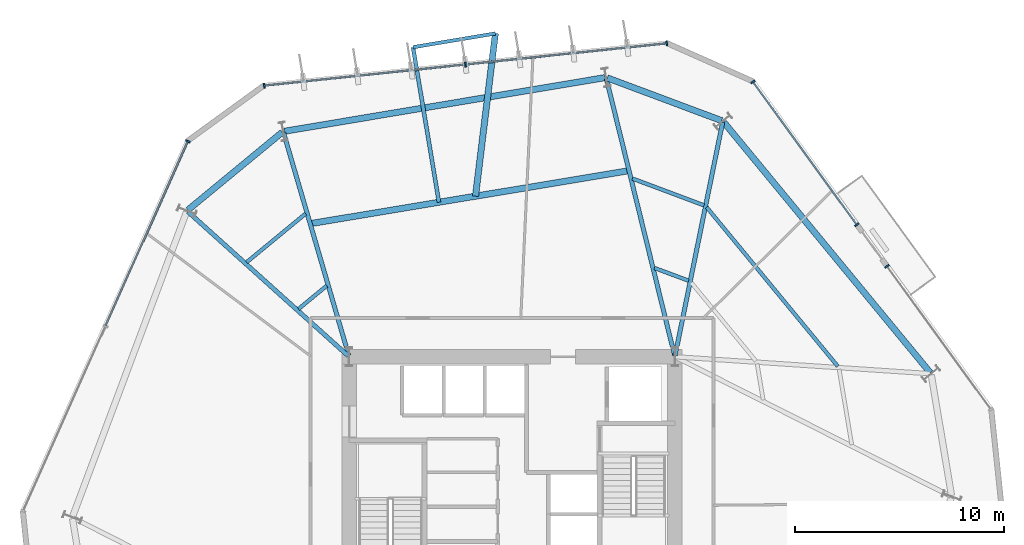
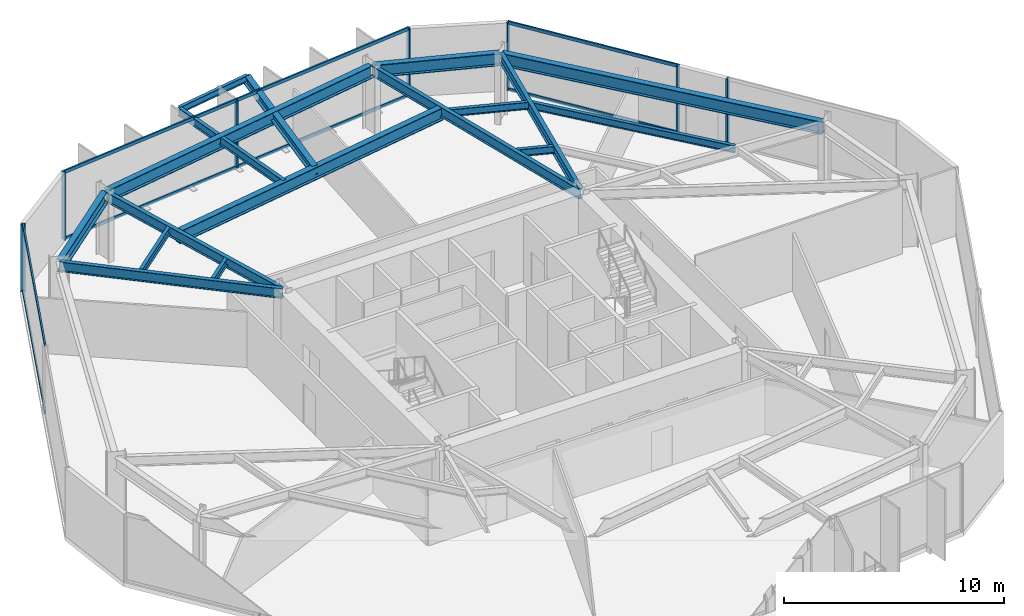
# One storey, part 5 of 11: 17 beams, 15 members, 4 elements without a shape of their own.
"""IFC4 building model written with IfcOpenShell, lengths in metres."""

from ifc_helpers import new_model, si_unit, direction, frame, origin, origin_2d, place, context, subcontext, project, spatial, rectangle, i_section, extrude, material, layer, layer_set, material_profile, profile_set, type_object, element, aggregate, save


model = new_model("IFC4")

# Units and contexts
model_context = context("Model", 3, precision=1e-05, world=origin(), true_north=direction((0.0, 1.0)))
body_context = subcontext(model_context, "Body", "Model", "MODEL_VIEW")
ifc_project = project(units=[si_unit("LENGTHUNIT", "METRE"), si_unit("AREAUNIT", "SQUARE_METRE"), si_unit("VOLUMEUNIT", "CUBIC_METRE"), si_unit("PLANEANGLEUNIT", "RADIAN"), si_unit("MASSUNIT", "GRAM", prefix="KILO")], contexts=[model_context])

# Site, building, storey
site_placement = place(None, origin())
site = spatial("IfcSite", under=ifc_project, at=site_placement, CompositionType="ELEMENT")
building_placement = place(site_placement, origin())
building = spatial("IfcBuilding", under=site, at=building_placement, Name="Kranzbogen Civic Tower", CompositionType="ELEMENT")
storey_placement = place(building_placement, frame((0.0, 0.0, 44.0)))
storey = spatial("IfcBuildingStorey", under=building, at=storey_placement, Name="L10", CompositionType="ELEMENT", Elevation=44.0)

# Beam
ifc_material_1 = material(Name="Steel S355", Category="steel")
ifc_material_profile_1 = material_profile(ifc_material_1, i_section(OverallWidth=0.18994140625, OverallDepth=0.449951171875, WebThickness=0.009521484375, FlangeThickness=0.0146484375, at=origin_2d()), Name="IPE 450")
ifc_profile_set_1 = profile_set([ifc_material_profile_1], Name="Steel S355")
beam_type_1 = type_object("IfcBeamType", Name="Braced Terrace Edge Beam IPE 450", PredefinedType="BEAM", material=ifc_profile_set_1)
beam_1_placement = place(storey_placement, frame((21.5029296875, 39.597900390625, 3.52490234375), z_axis=(-0.164993294132, 0.986294688666, 0.0), x_axis=(-0.986294688666, -0.164993294132, 0.0)))
element("IfcBeam", 1, at=beam_1_placement, inside=storey, type_object=beam_type_1, Name="L11 back-spanned terrace beam L11-TB2-2", PredefinedType="BEAM", context=body_context, shape_type="SweptSolid", body=[
    extrude(i_section(OverallWidth=0.18994140625, OverallDepth=0.449951171875, WebThickness=0.009521484375, FlangeThickness=0.0146484375, at=origin_2d()), origin(), (0.0, 0.0, 1.0), 7.52734375),
])

# Curtain wall, member
ifc_material_2 = material(Name="Pale Anodised Aluminium", Category="aluminium")
ifc_layer = layer(ifc_material_2, 0.219970703125, Name="Pale Anodised Aluminium")
ifc_layer_set = layer_set([ifc_layer], Name="Pale Anodised Aluminium")
curtain_wall_type = type_object("IfcCurtainWallType", Name="Zone 1 Stick Curtain Wall System CW-02", PredefinedType="USERDEFINED", material=ifc_layer_set)
curtain_wall_1_placement = place(storey_placement, origin())
curtain_wall_1 = element("IfcCurtainWall", 2, at=curtain_wall_1_placement, inside=storey, type_object=curtain_wall_type, Name="L10 curtain wall CW-L10-F1-S1", ObjectType="STICK CURTAIN WALL", PredefinedType="USERDEFINED")
ifc_material_profile_2 = material_profile(ifc_material_2, rectangle(XDim=0.080078125, YDim=0.239990234375, at=origin_2d()), Name="ALU-M 80x240")
ifc_profile_set_2 = profile_set([ifc_material_profile_2], Name="Pale Anodised Aluminium")
member_type_1 = type_object("IfcMemberType", Name="Curtain Wall Mullion ALU-M 80x240", PredefinedType="MULLION", material=ifc_profile_set_2)
member_1_placement = place(storey_placement, frame((42.962646484375, 36.53076171875, 0.0), z_axis=(0.0, 0.0, 1.0), x_axis=(-0.587801827819, 0.809004951291, 0.0)))
member_1 = element("IfcMember", 3, at=member_1_placement, type_object=member_type_1, Name="CW-02 mullion 2", PredefinedType="MULLION", context=body_context, shape_type="SweptSolid", body=[
    extrude(rectangle(XDim=0.080078125, YDim=0.239990234375, at=origin_2d()), origin(), (0.0, 0.0, 1.0), 3.760009765625),
])
aggregate(curtain_wall_1, [member_1])

# Curtain wall, members
curtain_wall_2_placement = place(storey_placement, origin())
curtain_wall_2 = element("IfcCurtainWall", 4, at=curtain_wall_2_placement, inside=storey, type_object=curtain_wall_type, Name="L10 curtain wall CW-L10-F1-S2", ObjectType="STICK CURTAIN WALL", PredefinedType="USERDEFINED")
member_2_placement = place(storey_placement, frame((41.516357421875, 38.521240234375, 0.0), z_axis=(0.0, 0.0, 1.0), x_axis=(-0.587780824037, 0.809020211673, 0.0)))
member_2 = element("IfcMember", 5, at=member_2_placement, type_object=member_type_1, Name="CW-02 mullion 1", PredefinedType="MULLION", context=body_context, shape_type="SweptSolid", body=[
    extrude(rectangle(XDim=0.080078125, YDim=0.239990234375, at=origin_2d()), origin(), (0.0, 0.0, 1.0), 3.760009765625),
])
member_3_placement = place(storey_placement, frame((36.543701171875, 45.36572265625, 0.0), z_axis=(0.0, 0.0, 1.0), x_axis=(-0.587780824037, 0.809020211673, 0.0)))
member_3 = element("IfcMember", 6, at=member_3_placement, type_object=member_type_1, Name="CW-02 mullion 2", PredefinedType="MULLION", context=body_context, shape_type="SweptSolid", body=[
    extrude(rectangle(XDim=0.080078125, YDim=0.239990234375, at=origin_2d()), origin(), (0.0, 0.0, 1.0), 3.760009765625),
])

curtain_wall_3_placement = place(storey_placement, origin())
curtain_wall_3 = element("IfcCurtainWall", 7, at=curtain_wall_3_placement, inside=storey, type_object=curtain_wall_type, Name="L10 curtain wall CW-L10-F2", ObjectType="STICK CURTAIN WALL", PredefinedType="USERDEFINED")
member_4_placement = place(storey_placement, frame((32.41015625, 47.205810546875, 0.0), z_axis=(0.0, 0.0, 1.0), x_axis=(-0.994522913352, -0.104518777347, 0.0)))
member_4 = element("IfcMember", 8, at=member_4_placement, type_object=member_type_1, Name="CW-02 mullion 1", PredefinedType="MULLION", context=body_context, shape_type="SweptSolid", body=[
    extrude(rectangle(XDim=0.080078125, YDim=0.239990234375, at=origin_2d()), origin(), (0.0, 0.0, 1.0), 3.760009765625),
])
member_5_placement = place(storey_placement, frame((22.7724609375, 46.193115234375, 0.0), z_axis=(0.0, 0.0, 1.0), x_axis=(-0.994522913352, -0.104518777347, 0.0)))
member_5 = element("IfcMember", 9, at=member_5_placement, type_object=member_type_1, Name="CW-02 mullion 2", PredefinedType="MULLION", context=body_context, shape_type="SweptSolid", body=[
    extrude(rectangle(XDim=0.080078125, YDim=0.239990234375, at=origin_2d()), origin(), (0.0, 0.0, 1.0), 3.760009765625),
])
member_6_placement = place(storey_placement, frame((13.134765625, 45.18017578125, 0.0), z_axis=(0.0, 0.0, 1.0), x_axis=(-0.994522913352, -0.104518777347, 0.0)))
member_6 = element("IfcMember", 10, at=member_6_placement, type_object=member_type_1, Name="CW-02 mullion 3", PredefinedType="MULLION", context=body_context, shape_type="SweptSolid", body=[
    extrude(rectangle(XDim=0.080078125, YDim=0.239990234375, at=origin_2d()), origin(), (0.0, 0.0, 1.0), 3.760009765625),
])

# Curtain wall, member
curtain_wall_4_placement = place(storey_placement, origin())
curtain_wall_4 = element("IfcCurtainWall", 11, at=curtain_wall_4_placement, inside=storey, type_object=curtain_wall_type, Name="L10 curtain wall CW-L10-F3", ObjectType="STICK CURTAIN WALL", PredefinedType="USERDEFINED")
member_7_placement = place(storey_placement, frame((9.473876953125, 42.5205078125, 0.0), z_axis=(0.0, 0.0, 1.0), x_axis=(-0.406749234104, -0.913539851652, 0.0)))
member_7 = element("IfcMember", 12, at=member_7_placement, type_object=member_type_1, Name="CW-02 mullion 1", PredefinedType="MULLION", context=body_context, shape_type="SweptSolid", body=[
    extrude(rectangle(XDim=0.080078125, YDim=0.239990234375, at=origin_2d()), origin(), (0.0, 0.0, 1.0), 3.760009765625),
])

# Member
ifc_material_profile_3 = material_profile(ifc_material_2, rectangle(XDim=0.080078125, YDim=0.179931640625, at=origin_2d()), Name="ALU-T 80x180")
ifc_profile_set_3 = profile_set([ifc_material_profile_3], Name="Pale Anodised Aluminium")
member_type_2 = type_object("IfcMemberType", Name="Curtain Wall Transom ALU-T 80x180", PredefinedType="USERDEFINED", material=ifc_profile_set_3)
member_8_placement = place(storey_placement, frame((41.498779296875, 38.545654296875, 0.030029296875), z_axis=(-0.587784533062, 0.809017516926, 0.0), x_axis=(-0.809017516926, -0.587784533062, 0.0)))
member_8 = element("IfcMember", 13, at=member_8_placement, type_object=member_type_2, Name="CW-02 transom 1.1", ObjectType="TRANSOM", PredefinedType="USERDEFINED", context=body_context, shape_type="SweptSolid", body=[
    extrude(rectangle(XDim=0.080078125, YDim=0.179931640625, at=origin_2d()), origin(), (0.0, 0.0, 1.0), 8.400146484375),
])

member_9_placement = place(storey_placement, frame((41.498779296875, 38.545654296875, 3.72998046875), z_axis=(-0.587784533062, 0.809017516926, 0.0), x_axis=(-0.809017516926, -0.587784533062, 0.0)))
member_9 = element("IfcMember", 14, at=member_9_placement, type_object=member_type_2, Name="CW-02 transom 1.2", ObjectType="TRANSOM", PredefinedType="USERDEFINED", context=body_context, shape_type="SweptSolid", body=[
    extrude(rectangle(XDim=0.080078125, YDim=0.179931640625, at=origin_2d()), origin(), (0.0, 0.0, 1.0), 8.400146484375),
])

aggregate(curtain_wall_2, [member_2, member_3, member_8, member_9])

member_10_placement = place(storey_placement, frame((32.38037109375, 47.20263671875, 0.030029296875), z_axis=(-0.994523079479, -0.104517196592, 0.0), x_axis=(0.104517196592, -0.994523079479, 0.0)))
member_10 = element("IfcMember", 15, at=member_10_placement, type_object=member_type_2, Name="CW-02 transom 1.1", ObjectType="TRANSOM", PredefinedType="USERDEFINED", context=body_context, shape_type="SweptSolid", body=[
    extrude(rectangle(XDim=0.080078125, YDim=0.179931640625, at=origin_2d()), origin(), (0.0, 0.0, 1.0), 9.630859375),
])

member_11_placement = place(storey_placement, frame((32.38037109375, 47.20263671875, 3.72998046875), z_axis=(-0.994523079479, -0.104517196592, 0.0), x_axis=(0.104517196592, -0.994523079479, 0.0)))
member_11 = element("IfcMember", 16, at=member_11_placement, type_object=member_type_2, Name="CW-02 transom 1.2", ObjectType="TRANSOM", PredefinedType="USERDEFINED", context=body_context, shape_type="SweptSolid", body=[
    extrude(rectangle(XDim=0.080078125, YDim=0.179931640625, at=origin_2d()), origin(), (0.0, 0.0, 1.0), 9.630859375),
])

member_12_placement = place(storey_placement, frame((22.74267578125, 46.18994140625, 0.030029296875), z_axis=(-0.994523079479, -0.104517196592, 0.0), x_axis=(0.104517196592, -0.994523079479, 0.0)))
member_12 = element("IfcMember", 17, at=member_12_placement, type_object=member_type_2, Name="CW-02 transom 2.1", ObjectType="TRANSOM", PredefinedType="USERDEFINED", context=body_context, shape_type="SweptSolid", body=[
    extrude(rectangle(XDim=0.080078125, YDim=0.179931640625, at=origin_2d()), origin(), (0.0, 0.0, 1.0), 9.630859375),
])

member_13_placement = place(storey_placement, frame((22.74267578125, 46.18994140625, 3.72998046875), z_axis=(-0.994523079479, -0.104517196592, 0.0), x_axis=(0.104517196592, -0.994523079479, 0.0)))
member_13 = element("IfcMember", 18, at=member_13_placement, type_object=member_type_2, Name="CW-02 transom 2.2", ObjectType="TRANSOM", PredefinedType="USERDEFINED", context=body_context, shape_type="SweptSolid", body=[
    extrude(rectangle(XDim=0.080078125, YDim=0.179931640625, at=origin_2d()), origin(), (0.0, 0.0, 1.0), 9.630859375),
])

aggregate(curtain_wall_3, [member_4, member_5, member_6, member_10, member_11, member_12, member_13])

member_14_placement = place(storey_placement, frame((9.461669921875, 42.4931640625, 0.030029296875), z_axis=(-0.406754596489, -0.913537464057, 0.0), x_axis=(0.913537464057, -0.406754596489, 0.0)))
member_14 = element("IfcMember", 19, at=member_14_placement, type_object=member_type_2, Name="CW-02 transom 1.1", ObjectType="TRANSOM", PredefinedType="USERDEFINED", context=body_context, shape_type="SweptSolid", body=[
    extrude(rectangle(XDim=0.080078125, YDim=0.179931640625, at=origin_2d()), origin(), (0.0, 0.0, 1.0), 9.631103515625),
])

member_15_placement = place(storey_placement, frame((9.461669921875, 42.4931640625, 3.72998046875), z_axis=(-0.406754596489, -0.913537464057, 0.0), x_axis=(0.913537464057, -0.406754596489, 0.0)))
member_15 = element("IfcMember", 20, at=member_15_placement, type_object=member_type_2, Name="CW-02 transom 1.2", ObjectType="TRANSOM", PredefinedType="USERDEFINED", context=body_context, shape_type="SweptSolid", body=[
    extrude(rectangle(XDim=0.080078125, YDim=0.179931640625, at=origin_2d()), origin(), (0.0, 0.0, 1.0), 9.631103515625),
])

aggregate(curtain_wall_4, [member_7, member_14, member_15])

# Beams
ifc_material_profile_4 = material_profile(ifc_material_1, i_section(OverallWidth=0.300048828125, OverallDepth=0.5, WebThickness=0.014404296875, FlangeThickness=0.028076171875, at=origin_2d()), Name="HEB 500")
ifc_profile_set_4 = profile_set([ifc_material_profile_4], Name="Steel S355")
beam_type_2 = type_object("IfcBeamType", Name="Perimeter Tube Spandrel Beam HEB 500", PredefinedType="SPANDREL", material=ifc_profile_set_4)
beam_2_placement = place(storey_placement, frame((23.251953125, 39.887939453125, 3.5), z_axis=(0.121244894525, 0.992622624944, 0.0), x_axis=(-0.992622624944, 0.121244894525, 0.0)))
element("IfcBeam", 21, at=beam_2_placement, inside=storey, type_object=beam_type_2, Name="L11 back-spanned terrace beam L11-TB2-1", PredefinedType="SPANDREL", context=body_context, shape_type="SweptSolid", body=[
    extrude(i_section(OverallWidth=0.300048828125, OverallDepth=0.5, WebThickness=0.014404296875, FlangeThickness=0.028076171875, at=origin_2d()), origin(), (0.0, 0.0, 1.0), 7.85302734375),
])
ifc_material_profile_5 = material_profile(ifc_material_1, i_section(OverallWidth=0.300048828125, OverallDepth=0.699951171875, WebThickness=0.01708984375, FlangeThickness=0.031982421875, at=origin_2d()), Name="HEB 700")
ifc_profile_set_5 = profile_set([ifc_material_profile_5], Name="Steel S355")
beam_type_3 = type_object("IfcBeamType", Name="Perimeter Tube Spandrel Beam HEB 700", PredefinedType="SPANDREL", material=ifc_profile_set_5)
beam_3_placement = place(storey_placement, frame((45.033935546875, 31.431884765625, 3.409912109375), z_axis=(-0.636074572579, 0.771627590304, 0.0), x_axis=(-0.771627590304, -0.636074572579, 0.0)))
element("IfcBeam", 22, at=beam_3_placement, inside=storey, type_object=beam_type_3, Name="L10 perimeter spandrel beam 08", PredefinedType="SPANDREL", context=body_context, shape_type="SweptSolid", body=[
    extrude(i_section(OverallWidth=0.300048828125, OverallDepth=0.699951171875, WebThickness=0.01708984375, FlangeThickness=0.031982421875, at=origin_2d()), origin(), (0.0, 0.0, 1.0), 15.5595703125),
])
beam_4_placement = place(storey_placement, frame((35.04296875, 43.5048828125, 3.409912109375), z_axis=(-0.936647646965, 0.350273015568, 0.0), x_axis=(-0.350273015568, -0.936647646965, 0.0)))
element("IfcBeam", 23, at=beam_4_placement, inside=storey, type_object=beam_type_3, Name="L10 perimeter spandrel beam 09", PredefinedType="SPANDREL", context=body_context, shape_type="SweptSolid", body=[
    extrude(i_section(OverallWidth=0.300048828125, OverallDepth=0.699951171875, WebThickness=0.01708984375, FlangeThickness=0.031982421875, at=origin_2d()), origin(), (0.0, 0.0, 1.0), 5.852783203125),
])
beam_5_placement = place(storey_placement, frame((29.446044921875, 45.56591796875, 3.409912109375), z_axis=(-0.986285563243, -0.165047834697, 0.0), x_axis=(0.165047834697, -0.986285563243, 0.0)))
element("IfcBeam", 24, at=beam_5_placement, inside=storey, type_object=beam_type_3, Name="L10 perimeter spandrel beam 10", PredefinedType="SPANDREL", context=body_context, shape_type="SweptSolid", body=[
    extrude(i_section(OverallWidth=0.300048828125, OverallDepth=0.699951171875, WebThickness=0.01708984375, FlangeThickness=0.031982421875, at=origin_2d()), origin(), (0.0, 0.0, 1.0), 15.558349609375),
])
beam_6_placement = place(storey_placement, frame((13.99609375, 42.949951171875, 3.409912109375), z_axis=(-0.77168336865, -0.636006901337, 0.0), x_axis=(0.636006901337, -0.77168336865, 0.0)))
element("IfcBeam", 25, at=beam_6_placement, inside=storey, type_object=beam_type_3, Name="L10 perimeter spandrel beam 11", PredefinedType="SPANDREL", context=body_context, shape_type="SweptSolid", body=[
    extrude(i_section(OverallWidth=0.300048828125, OverallDepth=0.699951171875, WebThickness=0.01708984375, FlangeThickness=0.031982421875, at=origin_2d()), origin(), (0.0, 0.0, 1.0), 5.853515625),
])
beam_7_placement = place(storey_placement, frame((30.60498046875, 41.110107421875, 3.39990234375), z_axis=(-0.9864781902, -0.163892587571, 0.0), x_axis=(0.163892587571, -0.9864781902, 0.0)))
element("IfcBeam", 26, at=beam_7_placement, inside=storey, type_object=beam_type_3, Name="L11 balcony back-span header girder L11-TB2", PredefinedType="SPANDREL", context=body_context, shape_type="SweptSolid", body=[
    extrude(i_section(OverallWidth=0.300048828125, OverallDepth=0.699951171875, WebThickness=0.01708984375, FlangeThickness=0.031982421875, at=origin_2d()), origin(), (0.0, 0.0, 1.0), 15.480224609375),
])
ifc_material_profile_6 = material_profile(ifc_material_1, i_section(OverallWidth=0.2099609375, OverallDepth=0.550048828125, WebThickness=0.010986328125, FlangeThickness=0.01708984375, at=origin_2d()), Name="IPE 550")
ifc_profile_set_6 = profile_set([ifc_material_profile_6], Name="Steel S355")
beam_type_4 = type_object("IfcBeamType", Name="Radial Tower Floor Girder IPE 550", PredefinedType="BEAM", material=ifc_profile_set_6)
beam_8_placement = place(storey_placement, frame((35.0869140625, 43.425048828125, 3.485107421875), z_axis=(-0.199633433694, -0.979870650725, 0.0), x_axis=(0.979870650725, -0.199633433694, 0.0)))
element("IfcBeam", 27, at=beam_8_placement, inside=storey, type_object=beam_type_4, Name="L10 radial floor girder 09", PredefinedType="BEAM", context=body_context, shape_type="SweptSolid", body=[
    extrude(i_section(OverallWidth=0.2099609375, OverallDepth=0.550048828125, WebThickness=0.010986328125, FlangeThickness=0.01708984375, at=origin_2d()), origin(), (0.0, 0.0, 1.0), 11.3955078125),
])
beam_9_placement = place(storey_placement, frame((29.51904296875, 45.51806640625, 3.485107421875), z_axis=(0.239215348776, -0.970966537482, 0.0), x_axis=(0.970966537482, 0.239215348776, 0.0)))
element("IfcBeam", 28, at=beam_9_placement, inside=storey, type_object=beam_type_4, Name="L10 radial floor girder 10", PredefinedType="BEAM", context=body_context, shape_type="SweptSolid", body=[
    extrude(i_section(OverallWidth=0.2099609375, OverallDepth=0.550048828125, WebThickness=0.010986328125, FlangeThickness=0.01708984375, at=origin_2d()), origin(), (0.0, 0.0, 1.0), 13.656494140625),
])
beam_10_placement = place(storey_placement, frame((14.05908203125, 42.929931640625, 3.485107421875), z_axis=(0.280944131918, -0.959724124288, 0.0), x_axis=(0.959724124288, 0.280944131918, 0.0)))
element("IfcBeam", 29, at=beam_10_placement, inside=storey, type_object=beam_type_4, Name="L10 radial floor girder 11", PredefinedType="BEAM", context=body_context, shape_type="SweptSolid", body=[
    extrude(i_section(OverallWidth=0.2099609375, OverallDepth=0.550048828125, WebThickness=0.010986328125, FlangeThickness=0.01708984375, at=origin_2d()), origin(), (0.0, 0.0, 1.0), 11.11962890625),
])
beam_11_placement = place(storey_placement, frame((9.47802734375, 39.14892578125, 3.485107421875), z_axis=(0.743311776894, -0.668945141496, 0.0), x_axis=(0.668945141496, 0.743311776894, 0.0)))
element("IfcBeam", 30, at=beam_11_placement, inside=storey, type_object=beam_type_4, Name="L10 radial floor girder 12", PredefinedType="BEAM", context=body_context, shape_type="SweptSolid", body=[
    extrude(i_section(OverallWidth=0.2099609375, OverallDepth=0.550048828125, WebThickness=0.010986328125, FlangeThickness=0.01708984375, at=origin_2d()), origin(), (0.0, 0.0, 1.0), 10.328125),
])
ifc_material_profile_7 = material_profile(ifc_material_1, i_section(OverallWidth=0.169921875, OverallDepth=0.360107421875, WebThickness=0.008056640625, FlangeThickness=0.0126953125, at=origin_2d()), Name="IPE 360")
ifc_profile_set_7 = profile_set([ifc_material_profile_7], Name="Steel S355")
beam_type_5 = type_object("IfcBeamType", Name="Secondary Composite Floor Joist IPE 360", PredefinedType="JOIST", material=ifc_profile_set_7)
beam_12_placement = place(storey_placement, frame((24.2041015625, 47.68310546875, 3.570068359375), z_axis=(-0.98623337131, -0.165359418581, 0.0), x_axis=(0.165359418581, -0.98623337131, 0.0)))
element("IfcBeam", 31, at=beam_12_placement, inside=storey, type_object=beam_type_5, Name="L11 terrace outer edge trimmer L11-TB2", PredefinedType="JOIST", context=body_context, shape_type="SweptSolid", body=[
    extrude(i_section(OverallWidth=0.169921875, OverallDepth=0.360107421875, WebThickness=0.008056640625, FlangeThickness=0.0126953125, at=origin_2d()), origin(), (0.0, 0.0, 1.0), 3.998046875),
])
ifc_material_profile_8 = material_profile(ifc_material_1, i_section(OverallWidth=0.179931640625, OverallDepth=0.39990234375, WebThickness=0.008544921875, FlangeThickness=0.013427734375, at=origin_2d()), Name="IPE 400")
ifc_profile_set_8 = profile_set([ifc_material_profile_8], Name="Steel S355")
beam_type_6 = type_object("IfcBeamType", Name="Secondary Composite Floor Joist IPE 400", PredefinedType="JOIST", material=ifc_profile_set_8)
beam_13_placement = place(storey_placement, frame((40.60302734375, 31.740966796875, 3.56005859375), z_axis=(-0.636094561772, 0.771611112209, 0.0), x_axis=(-0.771611112209, -0.636094561772, 0.0)))
element("IfcBeam", 32, at=beam_13_placement, inside=storey, type_object=beam_type_6, Name="L10 secondary floor joist 1.08", PredefinedType="JOIST", context=body_context, shape_type="SweptSolid", body=[
    extrude(i_section(OverallWidth=0.179931640625, OverallDepth=0.39990234375, WebThickness=0.008544921875, FlangeThickness=0.013427734375, at=origin_2d()), origin(), (0.0, 0.0, 1.0), 9.874267578125),
])
beam_14_placement = place(storey_placement, frame((34.196044921875, 39.449951171875, 3.56005859375), z_axis=(-0.936622008794, 0.350341565678, 0.0), x_axis=(-0.350341565678, -0.936622008794, 0.0)))
element("IfcBeam", 33, at=beam_14_placement, inside=storey, type_object=beam_type_6, Name="L10 secondary floor joist 1.09", PredefinedType="JOIST", context=body_context, shape_type="SweptSolid", body=[
    extrude(i_section(OverallWidth=0.179931640625, OverallDepth=0.39990234375, WebThickness=0.008544921875, FlangeThickness=0.013427734375, at=origin_2d()), origin(), (0.0, 0.0, 1.0), 3.662109375),
])
beam_15_placement = place(storey_placement, frame((33.4609375, 35.839111328125, 3.56005859375), z_axis=(-0.936735458815, 0.350038112495, 0.0), x_axis=(-0.350038112495, -0.936735458815, 0.0)))
element("IfcBeam", 34, at=beam_15_placement, inside=storey, type_object=beam_type_6, Name="L10 secondary floor joist 2.09", PredefinedType="JOIST", context=body_context, shape_type="SweptSolid", body=[
    extrude(i_section(OverallWidth=0.179931640625, OverallDepth=0.39990234375, WebThickness=0.008544921875, FlangeThickness=0.013427734375, at=origin_2d()), origin(), (0.0, 0.0, 1.0), 1.750732421875),
])
beam_16_placement = place(storey_placement, frame((15.116943359375, 39.052978515625, 3.56005859375), z_axis=(-0.771712720426, -0.635971286406, 0.0), x_axis=(0.635971286406, -0.771712720426, 0.0)))
element("IfcBeam", 35, at=beam_16_placement, inside=storey, type_object=beam_type_6, Name="L10 secondary floor joist 1.11", PredefinedType="JOIST", context=body_context, shape_type="SweptSolid", body=[
    extrude(i_section(OverallWidth=0.179931640625, OverallDepth=0.39990234375, WebThickness=0.008544921875, FlangeThickness=0.013427734375, at=origin_2d()), origin(), (0.0, 0.0, 1.0), 3.661865234375),
])
beam_17_placement = place(storey_placement, frame((16.1279296875, 35.60107421875, 3.56005859375), z_axis=(-0.771773324836, -0.635897739477, 0.0), x_axis=(0.635897739477, -0.771773324836, 0.0)))
element("IfcBeam", 36, at=beam_17_placement, inside=storey, type_object=beam_type_6, Name="L10 secondary floor joist 2.11", PredefinedType="JOIST", context=body_context, shape_type="SweptSolid", body=[
    extrude(i_section(OverallWidth=0.179931640625, OverallDepth=0.39990234375, WebThickness=0.008544921875, FlangeThickness=0.013427734375, at=origin_2d()), origin(), (0.0, 0.0, 1.0), 1.751953125),
])

save(model, "model.ifc")
